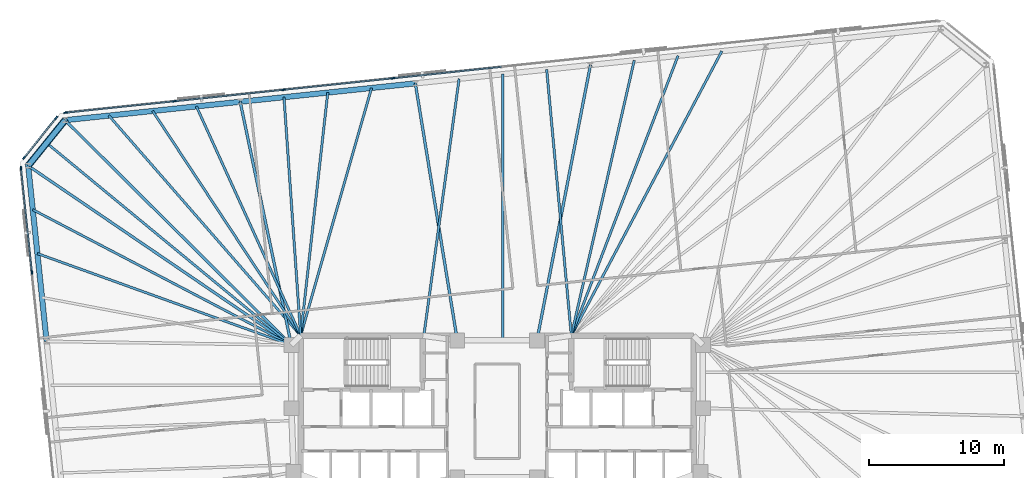
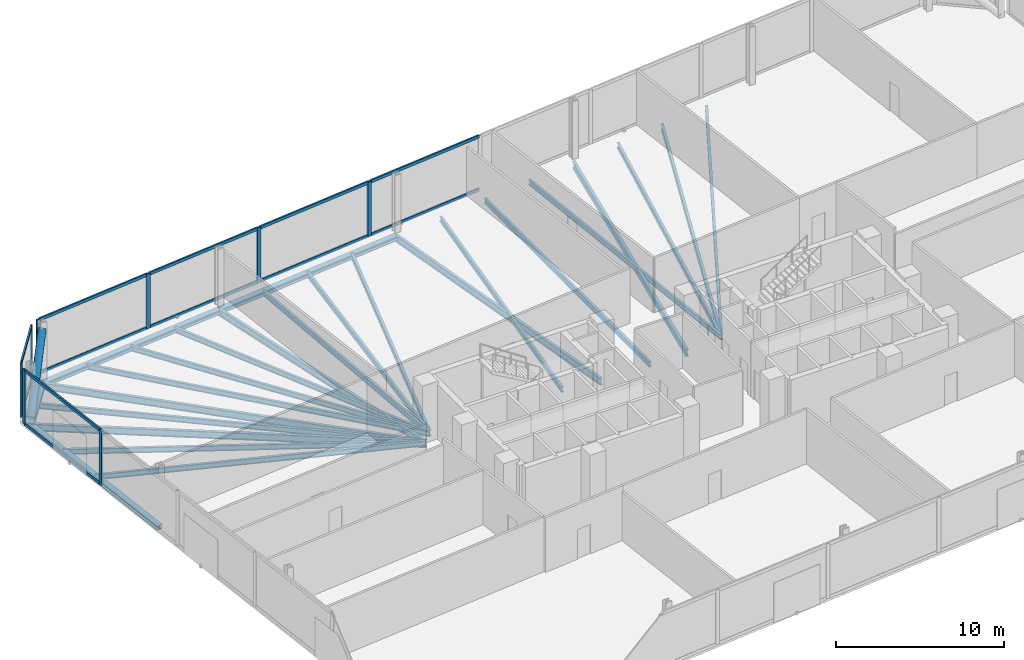
# One storey, part 8 of 16: 24 beams, 21 members, 3 elements without a shape of their own.
"""IFC4 building model written with IfcOpenShell, lengths in metres."""

from ifc_helpers import new_model, si_unit, direction, frame, origin, origin_2d, place, context, subcontext, project, spatial, rectangle, hollow_circle, i_section, extrude, material, material_profile, profile_set, type_object, element, aggregate, save


model = new_model("IFC4")

# Units and contexts
model_context = context("Model", 3, precision=1e-05, world=origin(), true_north=direction((0.0, 1.0)))
body_context = subcontext(model_context, "Body", "Model", "MODEL_VIEW")
ifc_project = project(units=[si_unit("LENGTHUNIT", "METRE"), si_unit("AREAUNIT", "SQUARE_METRE"), si_unit("VOLUMEUNIT", "CUBIC_METRE"), si_unit("PLANEANGLEUNIT", "RADIAN"), si_unit("MASSUNIT", "GRAM", prefix="KILO")], contexts=[model_context])

# Site, building, storey
site_placement = place(None, origin())
site = spatial("IfcSite", under=ifc_project, at=site_placement, CompositionType="ELEMENT")
building_placement = place(site_placement, origin())
building = spatial("IfcBuilding", under=site, at=building_placement, Name="Menara Jurai Vektor", CompositionType="ELEMENT")
storey_placement = place(building_placement, frame((0.0, 0.0, 83.199951171875)))
storey = spatial("IfcBuildingStorey", under=building, at=storey_placement, Name="L20", CompositionType="ELEMENT", Elevation=83.199951171875)

# Curtain wall, members
ifc_material_1 = material(Name="Anodised Pale Aluminium & Low-E Double Glazing", Category="aluminium")
curtain_wall_type = type_object("IfcCurtainWallType", Name="CW-SKY", PredefinedType="NOTDEFINED", material=ifc_material_1)
curtain_wall_1_placement = place(storey_placement, origin())
curtain_wall_1 = element("IfcCurtainWall", 1, at=curtain_wall_1_placement, inside=storey, type_object=curtain_wall_type, Name="Unitised Curtain Wall L20 F05", PredefinedType="NOTDEFINED")
ifc_material_2 = material(Name="Anodised Pale Aluminium Mullion", Category="aluminium")
ifc_material_profile_1 = material_profile(ifc_material_2, rectangle(XDim=0.110107421875, YDim=0.280029296875, at=origin_2d()), Name="ALU MUL 110x280")
ifc_profile_set_1 = profile_set([ifc_material_profile_1], Name="Anodised Pale Aluminium Mullion")
member_type_1 = type_object("IfcMemberType", Name="CW-SKY-MUL", PredefinedType="MULLION", material=ifc_profile_set_1)
member_1_placement = place(storey_placement, frame((-7.728271484375, 24.67138671875, 0.0), z_axis=(0.0, 0.0, 1.0), x_axis=(0.104528634935, -0.994521877325, 0.0)))
member_1 = element("IfcMember", 2, at=member_1_placement, type_object=member_type_1, Name="CW-06 mullion 6", PredefinedType="MULLION", context=body_context, shape_type="SweptSolid", body=[
    extrude(rectangle(XDim=0.110107421875, YDim=0.280029296875, at=origin_2d()), origin(), (0.0, 0.0, 1.0), 3.97509765625),
])
member_2_placement = place(storey_placement, frame((-15.826171875, 23.8203125, 0.0), z_axis=(0.0, 0.0, 1.0), x_axis=(0.104528634935, -0.994521877325, 0.0)))
member_2 = element("IfcMember", 3, at=member_2_placement, type_object=member_type_1, Name="CW-06 mullion 7", PredefinedType="MULLION", context=body_context, shape_type="SweptSolid", body=[
    extrude(rectangle(XDim=0.110107421875, YDim=0.280029296875, at=origin_2d()), origin(), (0.0, 0.0, 1.0), 3.97509765625),
])
member_3_placement = place(storey_placement, frame((-23.924072265625, 22.96923828125, 0.0), z_axis=(0.0, 0.0, 1.0), x_axis=(0.104528634935, -0.994521877325, 0.0)))
member_3 = element("IfcMember", 4, at=member_3_placement, type_object=member_type_1, Name="CW-06 mullion 8", PredefinedType="MULLION", context=body_context, shape_type="SweptSolid", body=[
    extrude(rectangle(XDim=0.110107421875, YDim=0.280029296875, at=origin_2d()), origin(), (0.0, 0.0, 1.0), 3.97509765625),
])
member_4_placement = place(storey_placement, frame((-31.96728515625, 22.123779296875, 0.0), z_axis=(0.0, 0.0, 1.0), x_axis=(0.104528634935, -0.994521877325, 0.0)))
member_4 = element("IfcMember", 5, at=member_4_placement, type_object=member_type_1, Name="CW-06 mullion 9", PredefinedType="MULLION", context=body_context, shape_type="SweptSolid", body=[
    extrude(rectangle(XDim=0.110107421875, YDim=0.280029296875, at=origin_2d()), origin(), (0.0, 0.0, 1.0), 3.97509765625),
])

curtain_wall_2_placement = place(storey_placement, origin())
curtain_wall_2 = element("IfcCurtainWall", 6, at=curtain_wall_2_placement, inside=storey, type_object=curtain_wall_type, Name="Unitised Curtain Wall L20 F06", PredefinedType="NOTDEFINED")
member_5_placement = place(storey_placement, frame((-32.673583984375, 21.740478515625, 0.0), z_axis=(0.0, 0.0, 1.0), x_axis=(0.777129222223, -0.62934106172, 0.0)))
member_5 = element("IfcMember", 7, at=member_5_placement, type_object=member_type_1, Name="CW-06 mullion 1", PredefinedType="MULLION", context=body_context, shape_type="SweptSolid", body=[
    extrude(rectangle(XDim=0.110107421875, YDim=0.280029296875, at=origin_2d()), origin(), (0.0, 0.0, 1.0), 3.97509765625),
])
member_6_placement = place(storey_placement, frame((-35.06298828125, 18.78955078125, 0.0), z_axis=(0.0, 0.0, 1.0), x_axis=(0.777129222223, -0.62934106172, 0.0)))
member_6 = element("IfcMember", 8, at=member_6_placement, type_object=member_type_1, Name="CW-06 mullion 2", PredefinedType="MULLION", context=body_context, shape_type="SweptSolid", body=[
    extrude(rectangle(XDim=0.110107421875, YDim=0.280029296875, at=origin_2d()), origin(), (0.0, 0.0, 1.0), 3.97509765625),
])

curtain_wall_3_placement = place(storey_placement, origin())
curtain_wall_3 = element("IfcCurtainWall", 9, at=curtain_wall_3_placement, inside=storey, type_object=curtain_wall_type, Name="Unitised Curtain Wall L20 F07", PredefinedType="NOTDEFINED")
member_7_placement = place(storey_placement, frame((-35.291259765625, 18.01904296875, 0.0), z_axis=(0.0, 0.0, 1.0), x_axis=(0.99452177832, 0.104529576902, 0.0)))
member_7 = element("IfcMember", 10, at=member_7_placement, type_object=member_type_1, Name="CW-06 mullion 1", PredefinedType="MULLION", context=body_context, shape_type="SweptSolid", body=[
    extrude(rectangle(XDim=0.110107421875, YDim=0.280029296875, at=origin_2d()), origin(), (0.0, 0.0, 1.0), 3.97509765625),
])
member_8_placement = place(storey_placement, frame((-34.478759765625, 10.28857421875, 0.0), z_axis=(0.0, 0.0, 1.0), x_axis=(0.99452177832, 0.104529576902, 0.0)))
member_8 = element("IfcMember", 11, at=member_8_placement, type_object=member_type_1, Name="CW-06 mullion 2", PredefinedType="MULLION", context=body_context, shape_type="SweptSolid", body=[
    extrude(rectangle(XDim=0.110107421875, YDim=0.280029296875, at=origin_2d()), origin(), (0.0, 0.0, 1.0), 3.97509765625),
])

# Member
ifc_material_3 = material(Name="Anodised Pale Aluminium Transom", Category="aluminium")
ifc_material_profile_2 = material_profile(ifc_material_3, rectangle(XDim=0.110107421875, YDim=0.219970703125, at=origin_2d()), Name="ALU TRN 110x220")
ifc_profile_set_2 = profile_set([ifc_material_profile_2], Name="Anodised Pale Aluminium Transom")
member_type_2 = type_object("IfcMemberType", Name="CW-SKY-TRN", PredefinedType="USERDEFINED", material=ifc_profile_set_2)
member_9_placement = place(storey_placement, frame((0.31494140625, 25.516845703125, 0.054931640625), z_axis=(-0.994522260875, -0.104524985641, 0.0), x_axis=(0.104524985641, -0.994522260875, 0.0)))
member_9 = element("IfcMember", 12, at=member_9_placement, type_object=member_type_2, Name="CW-06 transom 5.1", ObjectType="TRANSOM", PredefinedType="USERDEFINED", context=body_context, shape_type="SweptSolid", body=[
    extrude(rectangle(XDim=0.110107421875, YDim=0.219970703125, at=origin_2d()), origin(), (0.0, 0.0, 1.0), 8.032470703125),
])

member_10_placement = place(storey_placement, frame((0.31494140625, 25.516845703125, 3.920166015625), z_axis=(-0.994522260875, -0.104524985641, 0.0), x_axis=(0.104524985641, -0.994522260875, 0.0)))
member_10 = element("IfcMember", 13, at=member_10_placement, type_object=member_type_2, Name="CW-06 transom 5.2", ObjectType="TRANSOM", PredefinedType="USERDEFINED", context=body_context, shape_type="SweptSolid", body=[
    extrude(rectangle(XDim=0.110107421875, YDim=0.219970703125, at=origin_2d()), origin(), (0.0, 0.0, 1.0), 8.032470703125),
])

member_11_placement = place(storey_placement, frame((-7.782958984375, 24.665771484375, 0.054931640625), z_axis=(-0.994522260875, -0.104524985641, 0.0), x_axis=(0.104524985641, -0.994522260875, 0.0)))
member_11 = element("IfcMember", 14, at=member_11_placement, type_object=member_type_2, Name="CW-06 transom 6.1", ObjectType="TRANSOM", PredefinedType="USERDEFINED", context=body_context, shape_type="SweptSolid", body=[
    extrude(rectangle(XDim=0.110107421875, YDim=0.219970703125, at=origin_2d()), origin(), (0.0, 0.0, 1.0), 8.032470703125),
])

member_12_placement = place(storey_placement, frame((-7.782958984375, 24.665771484375, 3.920166015625), z_axis=(-0.994522260875, -0.104524985641, 0.0), x_axis=(0.104524985641, -0.994522260875, 0.0)))
member_12 = element("IfcMember", 15, at=member_12_placement, type_object=member_type_2, Name="CW-06 transom 6.2", ObjectType="TRANSOM", PredefinedType="USERDEFINED", context=body_context, shape_type="SweptSolid", body=[
    extrude(rectangle(XDim=0.110107421875, YDim=0.219970703125, at=origin_2d()), origin(), (0.0, 0.0, 1.0), 8.032470703125),
])

member_13_placement = place(storey_placement, frame((-15.880859375, 23.814697265625, 0.054931640625), z_axis=(-0.994519100901, -0.104555047434, 0.0), x_axis=(0.104555047434, -0.994519100901, 0.0)))
member_13 = element("IfcMember", 16, at=member_13_placement, type_object=member_type_2, Name="CW-06 transom 7.1", ObjectType="TRANSOM", PredefinedType="USERDEFINED", context=body_context, shape_type="SweptSolid", body=[
    extrude(rectangle(XDim=0.110107421875, YDim=0.219970703125, at=origin_2d()), origin(), (0.0, 0.0, 1.0), 8.032470703125),
])

member_14_placement = place(storey_placement, frame((-15.880859375, 23.814697265625, 3.920166015625), z_axis=(-0.994519100901, -0.104555047434, 0.0), x_axis=(0.104555047434, -0.994519100901, 0.0)))
member_14 = element("IfcMember", 17, at=member_14_placement, type_object=member_type_2, Name="CW-06 transom 7.2", ObjectType="TRANSOM", PredefinedType="USERDEFINED", context=body_context, shape_type="SweptSolid", body=[
    extrude(rectangle(XDim=0.110107421875, YDim=0.219970703125, at=origin_2d()), origin(), (0.0, 0.0, 1.0), 8.032470703125),
])

member_15_placement = place(storey_placement, frame((-23.978759765625, 22.96337890625, 0.054931640625), z_axis=(-0.994523716049, -0.104511139192, 0.0), x_axis=(0.104511139192, -0.994523716049, 0.0)))
member_15 = element("IfcMember", 18, at=member_15_placement, type_object=member_type_2, Name="CW-06 transom 8.1", ObjectType="TRANSOM", PredefinedType="USERDEFINED", context=body_context, shape_type="SweptSolid", body=[
    extrude(rectangle(XDim=0.110107421875, YDim=0.219970703125, at=origin_2d()), origin(), (0.0, 0.0, 1.0), 7.9775390625),
])

member_16_placement = place(storey_placement, frame((-23.978759765625, 22.96337890625, 3.920166015625), z_axis=(-0.994523716049, -0.104511139192, 0.0), x_axis=(0.104511139192, -0.994523716049, 0.0)))
member_16 = element("IfcMember", 19, at=member_16_placement, type_object=member_type_2, Name="CW-06 transom 8.2", ObjectType="TRANSOM", PredefinedType="USERDEFINED", context=body_context, shape_type="SweptSolid", body=[
    extrude(rectangle(XDim=0.110107421875, YDim=0.219970703125, at=origin_2d()), origin(), (0.0, 0.0, 1.0), 7.9775390625),
])

aggregate(curtain_wall_1, [member_1, member_2, member_3, member_4, member_9, member_10, member_11, member_12, member_13, member_14, member_15, member_16])

member_17_placement = place(storey_placement, frame((-32.7080078125, 21.697509765625, 0.054931640625), z_axis=(-0.62937536063, -0.77710144475, 0.0), x_axis=(0.77710144475, -0.62937536063, 0.0)))
member_17 = element("IfcMember", 20, at=member_17_placement, type_object=member_type_2, Name="CW-06 transom 1.1", ObjectType="TRANSOM", PredefinedType="USERDEFINED", context=body_context, shape_type="SweptSolid", body=[
    extrude(rectangle(XDim=0.110107421875, YDim=0.219970703125, at=origin_2d()), origin(), (0.0, 0.0, 1.0), 3.68701171875),
])

member_18_placement = place(storey_placement, frame((-32.7080078125, 21.697509765625, 3.920166015625), z_axis=(-0.62937536063, -0.77710144475, 0.0), x_axis=(0.77710144475, -0.62937536063, 0.0)))
member_18 = element("IfcMember", 21, at=member_18_placement, type_object=member_type_2, Name="CW-06 transom 1.2", ObjectType="TRANSOM", PredefinedType="USERDEFINED", context=body_context, shape_type="SweptSolid", body=[
    extrude(rectangle(XDim=0.110107421875, YDim=0.219970703125, at=origin_2d()), origin(), (0.0, 0.0, 1.0), 3.68701171875),
])

aggregate(curtain_wall_2, [member_5, member_6, member_17, member_18])

member_19_placement = place(storey_placement, frame((-35.28564453125, 17.96435546875, 0.054931640625), z_axis=(0.104530549059, -0.994521676141, 0.0), x_axis=(0.994521676141, 0.104530549059, 0.0)))
member_19 = element("IfcMember", 22, at=member_19_placement, type_object=member_type_2, Name="CW-06 transom 1.1", ObjectType="TRANSOM", PredefinedType="USERDEFINED", context=body_context, shape_type="SweptSolid", body=[
    extrude(rectangle(XDim=0.110107421875, YDim=0.219970703125, at=origin_2d()), origin(), (0.0, 0.0, 1.0), 7.6630859375),
])

member_20_placement = place(storey_placement, frame((-35.28564453125, 17.96435546875, 3.920166015625), z_axis=(0.104530549059, -0.994521676141, 0.0), x_axis=(0.994521676141, 0.104530549059, 0.0)))
member_20 = element("IfcMember", 23, at=member_20_placement, type_object=member_type_2, Name="CW-06 transom 1.2", ObjectType="TRANSOM", PredefinedType="USERDEFINED", context=body_context, shape_type="SweptSolid", body=[
    extrude(rectangle(XDim=0.110107421875, YDim=0.219970703125, at=origin_2d()), origin(), (0.0, 0.0, 1.0), 7.6630859375),
])

aggregate(curtain_wall_3, [member_7, member_8, member_19, member_20])

# Beams
ifc_material_4 = material(Name="Steel S355", Category="steel")
ifc_material_profile_3 = material_profile(ifc_material_4, i_section(OverallWidth=0.199951171875, OverallDepth=0.5, WebThickness=0.011962890625, FlangeThickness=0.02001953125, at=origin_2d()), Name="PG 500x200x96")
ifc_profile_set_3 = profile_set([ifc_material_profile_3], Name="Steel S355")
beam_type_1 = type_object("IfcBeamType", Name="STR-BM-500", PredefinedType="BEAM", material=ifc_profile_set_3)
beam_1_placement = place(storey_placement, frame((6.9169921875, 25.65771484375, -0.5), z_axis=(-0.190817481746, -0.981625533826, 0.0), x_axis=(0.981625533826, -0.190817481746, 0.0)))
element("IfcBeam", 24, at=beam_1_placement, inside=storey, type_object=beam_type_1, Name="Radial Floor Girder L20-N3", PredefinedType="BEAM", context=body_context, shape_type="SweptSolid", body=[
    extrude(i_section(OverallWidth=0.199951171875, OverallDepth=0.5, WebThickness=0.011962890625, FlangeThickness=0.02001953125, at=origin_2d()), origin(), (0.0, 0.0, 1.0), 20.789794921875),
])
beam_2_placement = place(storey_placement, frame((-6.0625, 24.29345703125, -0.5), z_axis=(0.161304178177, -0.986904738109, 0.0), x_axis=(0.986904738109, 0.161304178177, 0.0)))
element("IfcBeam", 25, at=beam_2_placement, inside=storey, type_object=beam_type_1, Name="Radial Floor Girder L20-N4", PredefinedType="BEAM", context=body_context, shape_type="SweptSolid", body=[
    extrude(i_section(OverallWidth=0.199951171875, OverallDepth=0.5, WebThickness=0.011962890625, FlangeThickness=0.02001953125, at=origin_2d()), origin(), (0.0, 0.0, 1.0), 19.296142578125),
])
beam_3_placement = place(storey_placement, frame((-19.042236328125, 22.92919921875, -0.5), z_axis=(0.205833499861, -0.978587027471, 0.0), x_axis=(0.978587027471, 0.205833499861, 0.0)))
element("IfcBeam", 26, at=beam_3_placement, inside=storey, type_object=beam_type_1, Name="Radial Floor Girder L20-N5", PredefinedType="BEAM", context=body_context, shape_type="SweptSolid", body=[
    extrude(i_section(OverallWidth=0.199951171875, OverallDepth=0.5, WebThickness=0.011962890625, FlangeThickness=0.02001953125, at=origin_2d()), origin(), (0.0, 0.0, 1.0), 18.423828125),
])
beam_4_placement = place(storey_placement, frame((-32.02197265625, 21.565185546875, -0.5), z_axis=(0.709359361276, -0.704847002242, 0.0), x_axis=(0.704847002242, 0.709359361276, 0.0)))
element("IfcBeam", 27, at=beam_4_placement, inside=storey, type_object=beam_type_1, Name="Radial Floor Girder L20-N6", PredefinedType="BEAM", context=body_context, shape_type="SweptSolid", body=[
    extrude(i_section(OverallWidth=0.199951171875, OverallDepth=0.5, WebThickness=0.011962890625, FlangeThickness=0.02001953125, at=origin_2d()), origin(), (0.0, 0.0, 1.0), 23.643798828125),
])
beam_5_placement = place(storey_placement, frame((-34.756103515625, 18.188720703125, -0.5), z_axis=(0.826440214756, -0.563024485643, 0.0), x_axis=(0.563024485643, 0.826440214756, 0.0)))
element("IfcBeam", 28, at=beam_5_placement, inside=storey, type_object=beam_type_1, Name="Radial Floor Girder L20-W1", PredefinedType="BEAM", context=body_context, shape_type="SweptSolid", body=[
    extrude(i_section(OverallWidth=0.199951171875, OverallDepth=0.5, WebThickness=0.011962890625, FlangeThickness=0.02001953125, at=origin_2d()), origin(), (0.0, 0.0, 1.0), 23.6025390625),
])
ifc_material_5 = material(Name="Steel S460", Category="steel")
ifc_material_profile_4 = material_profile(ifc_material_5, i_section(OverallWidth=0.39697265625, OverallDepth=0.31591796875, WebThickness=0.030029296875, FlangeThickness=0.048095703125, FilletRadius=0.014892578125, at=origin_2d()), Name="HD 400x382")
ifc_profile_set_4 = profile_set([ifc_material_profile_4], Name="Steel S460")
beam_type_2 = type_object("IfcBeamType", Name="STR-BM-CHORD382", PredefinedType="SPANDREL", material=ifc_profile_set_4)
for number, where, z_axis, x_axis, name in (
    (29, (-6.0625, 24.29345703125, -0.407958984375), (-0.994521636083, -0.104530930169, 0.0), (0.104530930169, -0.994521636083, 0.0), "Exoskeleton Spandrel Beam L20-14"),
    (30, (-19.042236328125, 22.92919921875, -0.407958984375), (-0.994523580592, -0.104512428191, 0.0), (0.104512428191, -0.994523580592, 0.0), "Exoskeleton Spandrel Beam L20-15"),
):
    element("IfcBeam", number, at=place(storey_placement, frame(where, z_axis=z_axis, x_axis=x_axis)), inside=storey, type_object=beam_type_2, Name=name, PredefinedType="SPANDREL", context=body_context, shape_type="SweptSolid", body=[
        extrude(i_section(OverallWidth=0.39697265625, OverallDepth=0.31591796875, WebThickness=0.030029296875, FlangeThickness=0.048095703125, FilletRadius=0.014892578125, at=origin_2d()), origin(), (0.0, 0.0, 1.0), 13.05126953125),
    ])
beam_6_placement = place(storey_placement, frame((-32.02197265625, 21.565185546875, -0.407958984375), z_axis=(-0.629309762217, -0.777154568396, 0.0), x_axis=(0.777154568396, -0.629309762217, 0.0)))
element("IfcBeam", 31, at=beam_6_placement, inside=storey, type_object=beam_type_2, Name="Exoskeleton Spandrel Beam L20-16", PredefinedType="SPANDREL", context=body_context, shape_type="SweptSolid", body=[
    extrude(i_section(OverallWidth=0.39697265625, OverallDepth=0.31591796875, WebThickness=0.030029296875, FlangeThickness=0.048095703125, FilletRadius=0.014892578125, at=origin_2d()), origin(), (0.0, 0.0, 1.0), 4.3447265625),
])
beam_7_placement = place(storey_placement, frame((-34.756103515625, 18.188720703125, -0.407958984375), z_axis=(0.104538130097, -0.994520879296, 0.0), x_axis=(0.994520879296, 0.104538130097, 0.0)))
element("IfcBeam", 32, at=beam_7_placement, inside=storey, type_object=beam_type_2, Name="Exoskeleton Spandrel Beam L20-17", PredefinedType="SPANDREL", context=body_context, shape_type="SweptSolid", body=[
    extrude(i_section(OverallWidth=0.39697265625, OverallDepth=0.31591796875, WebThickness=0.030029296875, FlangeThickness=0.048095703125, FilletRadius=0.014892578125, at=origin_2d()), origin(), (0.0, 0.0, 1.0), 13.08544921875),
])

# Member
ifc_material_profile_5 = material_profile(ifc_material_5, hollow_circle(Radius=0.25390625, WallThickness=0.02001953125, at=origin_2d()), Name="CHS 508x20")
ifc_profile_set_5 = profile_set([ifc_material_profile_5], Name="Steel S460")
member_type_3 = type_object("IfcMemberType", Name="STR-BR-508", PredefinedType="BRACE", material=ifc_profile_set_5)
member_21_placement = place(storey_placement, frame((-34.756103515625, 18.188720703125, 0.150146484375), z_axis=(0.491456187247, 0.60691482004, 0.624600045815), x_axis=(-0.777154568396, 0.629309762217, 0.0)))
element("IfcMember", 33, at=member_21_placement, inside=storey, type_object=member_type_3, Name="Exoskeleton Corner Brace L20-3", PredefinedType="BRACE", context=body_context, shape_type="SweptSolid", body=[
    extrude(hollow_circle(Radius=0.25390625, WallThickness=0.02001953125, at=origin_2d()), origin(), (0.0, 0.0, 1.0), 5.563232421875),
])

# Beams
ifc_material_profile_6 = material_profile(ifc_material_4, i_section(OverallWidth=0.175048828125, OverallDepth=0.3798828125, WebThickness=0.010009765625, FlangeThickness=0.014892578125, at=origin_2d()), Name="PG 380x175x58")
ifc_profile_set_6 = profile_set([ifc_material_profile_6], Name="Steel S355")
beam_type_3 = type_object("IfcBeamType", Name="STR-JS-380", PredefinedType="JOIST", material=ifc_profile_set_6)
beam_8_placement = place(storey_placement, frame((16.651611328125, 26.680908203125, -0.43994140625), z_axis=(-0.467598899237, -0.883940761268, 0.0), x_axis=(0.883940761268, -0.467598899237, 0.0)))
element("IfcBeam", 34, at=beam_8_placement, inside=storey, type_object=beam_type_3, Name="Radial Secondary Floor Joist L20-JS23", PredefinedType="JOIST", context=body_context, shape_type="SweptSolid", body=[
    extrude(i_section(OverallWidth=0.175048828125, OverallDepth=0.3798828125, WebThickness=0.010009765625, FlangeThickness=0.014892578125, at=origin_2d()), origin(), (0.0, 0.0, 1.0), 23.8486328125),
])
beam_9_placement = place(storey_placement, frame((13.40673828125, 26.33984375, -0.43994140625), z_axis=(-0.3562267616, -0.934399536772, 0.0), x_axis=(0.934399536772, -0.3562267616, 0.0)))
element("IfcBeam", 35, at=beam_9_placement, inside=storey, type_object=beam_type_3, Name="Radial Secondary Floor Joist L20-JS24", PredefinedType="JOIST", context=body_context, shape_type="SweptSolid", body=[
    extrude(i_section(OverallWidth=0.175048828125, OverallDepth=0.3798828125, WebThickness=0.010009765625, FlangeThickness=0.014892578125, at=origin_2d()), origin(), (0.0, 0.0, 1.0), 22.19580078125),
])
beam_10_placement = place(storey_placement, frame((10.161865234375, 25.998779296875, -0.43994140625), z_axis=(-0.222793437271, -0.974865675008, 0.0), x_axis=(0.974865675008, -0.222793437271, 0.0)))
element("IfcBeam", 36, at=beam_10_placement, inside=storey, type_object=beam_type_3, Name="Radial Secondary Floor Joist L20-JS25", PredefinedType="JOIST", context=body_context, shape_type="SweptSolid", body=[
    extrude(i_section(OverallWidth=0.175048828125, OverallDepth=0.3798828125, WebThickness=0.010009765625, FlangeThickness=0.014892578125, at=origin_2d()), origin(), (0.0, 0.0, 1.0), 20.924560546875),
])
beam_11_placement = place(storey_placement, frame((3.672119140625, 25.316650390625, -0.43994140625), z_axis=(0.092312082085, -0.995730123829, 0.0), x_axis=(0.995730123829, 0.092312082085, 0.0)))
element("IfcBeam", 37, at=beam_11_placement, inside=storey, type_object=beam_type_3, Name="Radial Secondary Floor Joist L20-JS26", PredefinedType="JOIST", context=body_context, shape_type="SweptSolid", body=[
    extrude(i_section(OverallWidth=0.175048828125, OverallDepth=0.3798828125, WebThickness=0.010009765625, FlangeThickness=0.014892578125, at=origin_2d()), origin(), (0.0, 0.0, 1.0), 19.801025390625),
])
beam_12_placement = place(storey_placement, frame((0.42724609375, 24.9755859375, -0.43994140625), z_axis=(0.0, -1.0, 0.0), x_axis=(1.0, 0.0, 0.0)))
element("IfcBeam", 38, at=beam_12_placement, inside=storey, type_object=beam_type_3, Name="Radial Secondary Floor Joist L20-JS27", PredefinedType="JOIST", context=body_context, shape_type="SweptSolid", body=[
    extrude(i_section(OverallWidth=0.175048828125, OverallDepth=0.3798828125, WebThickness=0.010009765625, FlangeThickness=0.014892578125, at=origin_2d()), origin(), (0.0, 0.0, 1.0), 19.7255859375),
])
beam_13_placement = place(storey_placement, frame((-2.817626953125, 24.634521484375, -0.43994140625), z_axis=(-0.135987109192, -0.990710606652, 0.0), x_axis=(0.990710606652, -0.135987109192, 0.0)))
element("IfcBeam", 39, at=beam_13_placement, inside=storey, type_object=beam_type_3, Name="Radial Secondary Floor Joist L20-JS28", PredefinedType="JOIST", context=body_context, shape_type="SweptSolid", body=[
    extrude(i_section(OverallWidth=0.175048828125, OverallDepth=0.3798828125, WebThickness=0.010009765625, FlangeThickness=0.014892578125, at=origin_2d()), origin(), (0.0, 0.0, 1.0), 19.222412109375),
])
beam_14_placement = place(storey_placement, frame((-9.3076171875, 23.952392578125, -0.43994140625), z_axis=(-0.275153530359, -0.961400298903, 0.0), x_axis=(0.961400298903, -0.275153530359, 0.0)))
element("IfcBeam", 40, at=beam_14_placement, inside=storey, type_object=beam_type_3, Name="Radial Secondary Floor Joist L20-JS29", PredefinedType="JOIST", context=body_context, shape_type="SweptSolid", body=[
    extrude(i_section(OverallWidth=0.175048828125, OverallDepth=0.3798828125, WebThickness=0.010009765625, FlangeThickness=0.014892578125, at=origin_2d()), origin(), (0.0, 0.0, 1.0), 19.089111328125),
])
beam_15_placement = place(storey_placement, frame((-12.552490234375, 23.611328125, -0.43994140625), z_axis=(-0.110776028048, -0.993845396231, 0.0), x_axis=(0.993845396231, -0.110776028048, 0.0)))
element("IfcBeam", 41, at=beam_15_placement, inside=storey, type_object=beam_type_3, Name="Radial Secondary Floor Joist L20-JS30", PredefinedType="JOIST", context=body_context, shape_type="SweptSolid", body=[
    extrude(i_section(OverallWidth=0.175048828125, OverallDepth=0.3798828125, WebThickness=0.010009765625, FlangeThickness=0.014892578125, at=origin_2d()), origin(), (0.0, 0.0, 1.0), 18.122802734375),
])
beam_16_placement = place(storey_placement, frame((-15.79736328125, 23.2705078125, -0.43994140625), z_axis=(0.069850249402, -0.997557488398, 0.0), x_axis=(0.997557488398, 0.069850249402, 0.0)))
element("IfcBeam", 42, at=beam_16_placement, inside=storey, type_object=beam_type_3, Name="Radial Secondary Floor Joist L20-JS31", PredefinedType="JOIST", context=body_context, shape_type="SweptSolid", body=[
    extrude(i_section(OverallWidth=0.175048828125, OverallDepth=0.3798828125, WebThickness=0.010009765625, FlangeThickness=0.014892578125, at=origin_2d()), origin(), (0.0, 0.0, 1.0), 17.713623046875),
])
beam_17_placement = place(storey_placement, frame((-22.287109375, 22.58837890625, -0.43994140625), z_axis=(0.414029617818, -0.910263409992, 0.0), x_axis=(0.910263409992, 0.414029617818, 0.0)))
element("IfcBeam", 43, at=beam_17_placement, inside=storey, type_object=beam_type_3, Name="Radial Secondary Floor Joist L20-JS32", PredefinedType="JOIST", context=body_context, shape_type="SweptSolid", body=[
    extrude(i_section(OverallWidth=0.175048828125, OverallDepth=0.3798828125, WebThickness=0.010009765625, FlangeThickness=0.014892578125, at=origin_2d()), origin(), (0.0, 0.0, 1.0), 18.6630859375),
])
beam_18_placement = place(storey_placement, frame((-25.531982421875, 22.247314453125, -0.43994140625), z_axis=(0.550309675793, -0.834960634239, 0.0), x_axis=(0.834960634239, 0.550309675793, 0.0)))
element("IfcBeam", 44, at=beam_18_placement, inside=storey, type_object=beam_type_3, Name="Radial Secondary Floor Joist L20-JS33", PredefinedType="JOIST", context=body_context, shape_type="SweptSolid", body=[
    extrude(i_section(OverallWidth=0.175048828125, OverallDepth=0.3798828125, WebThickness=0.010009765625, FlangeThickness=0.014892578125, at=origin_2d()), origin(), (0.0, 0.0, 1.0), 19.937744140625),
])
beam_19_placement = place(storey_placement, frame((-28.777099609375, 21.90625, -0.43994140625), z_axis=(0.657172520545, -0.753740192798, 0.0), x_axis=(0.753740192798, 0.657172520545, 0.0)))
element("IfcBeam", 45, at=beam_19_placement, inside=storey, type_object=beam_type_3, Name="Radial Secondary Floor Joist L20-JS34", PredefinedType="JOIST", context=body_context, shape_type="SweptSolid", body=[
    extrude(i_section(OverallWidth=0.175048828125, OverallDepth=0.3798828125, WebThickness=0.010009765625, FlangeThickness=0.014892578125, at=origin_2d()), origin(), (0.0, 0.0, 1.0), 21.633544921875),
])
beam_20_placement = place(storey_placement, frame((-33.388916015625, 19.876953125, -0.43994140625), z_axis=(0.771113505069, -0.636697700876, 0.0), x_axis=(0.636697700876, 0.771113505069, 0.0)))
element("IfcBeam", 46, at=beam_20_placement, inside=storey, type_object=beam_type_3, Name="Radial Secondary Floor Joist L20-JS35", PredefinedType="JOIST", context=body_context, shape_type="SweptSolid", body=[
    extrude(i_section(OverallWidth=0.175048828125, OverallDepth=0.3798828125, WebThickness=0.010009765625, FlangeThickness=0.014892578125, at=origin_2d()), origin(), (0.0, 0.0, 1.0), 23.52294921875),
])
beam_21_placement = place(storey_placement, frame((-34.414306640625, 14.935302734375, -0.43994140625), z_axis=(0.885889402471, -0.463896504179, 0.0), x_axis=(0.463896504179, 0.885889402471, 0.0)))
element("IfcBeam", 47, at=beam_21_placement, inside=storey, type_object=beam_type_3, Name="Radial Secondary Floor Joist L20-JS36", PredefinedType="JOIST", context=body_context, shape_type="SweptSolid", body=[
    extrude(i_section(OverallWidth=0.175048828125, OverallDepth=0.3798828125, WebThickness=0.010009765625, FlangeThickness=0.014892578125, at=origin_2d()), origin(), (0.0, 0.0, 1.0), 21.6328125),
])
beam_22_placement = place(storey_placement, frame((-34.072265625, 11.681884765625, -0.43994140625), z_axis=(0.940792327273, -0.338983475917, 0.0), x_axis=(0.338983475917, 0.940792327273, 0.0)))
element("IfcBeam", 48, at=beam_22_placement, inside=storey, type_object=beam_type_3, Name="Radial Secondary Floor Joist L20-JS37", PredefinedType="JOIST", context=body_context, shape_type="SweptSolid", body=[
    extrude(i_section(OverallWidth=0.175048828125, OverallDepth=0.3798828125, WebThickness=0.010009765625, FlangeThickness=0.014892578125, at=origin_2d()), origin(), (0.0, 0.0, 1.0), 20.0068359375),
])

save(model, "model.ifc")
